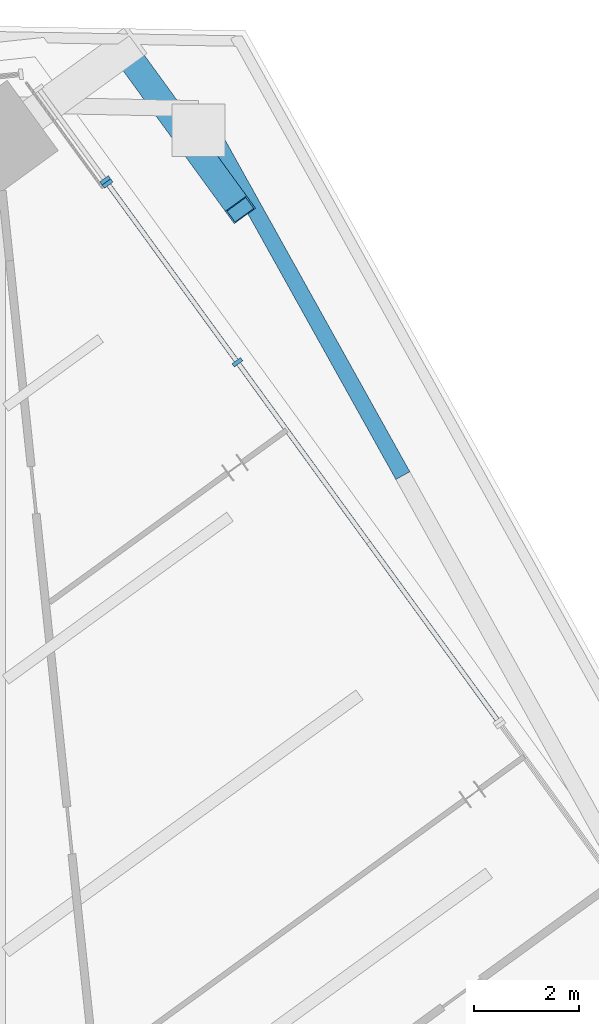
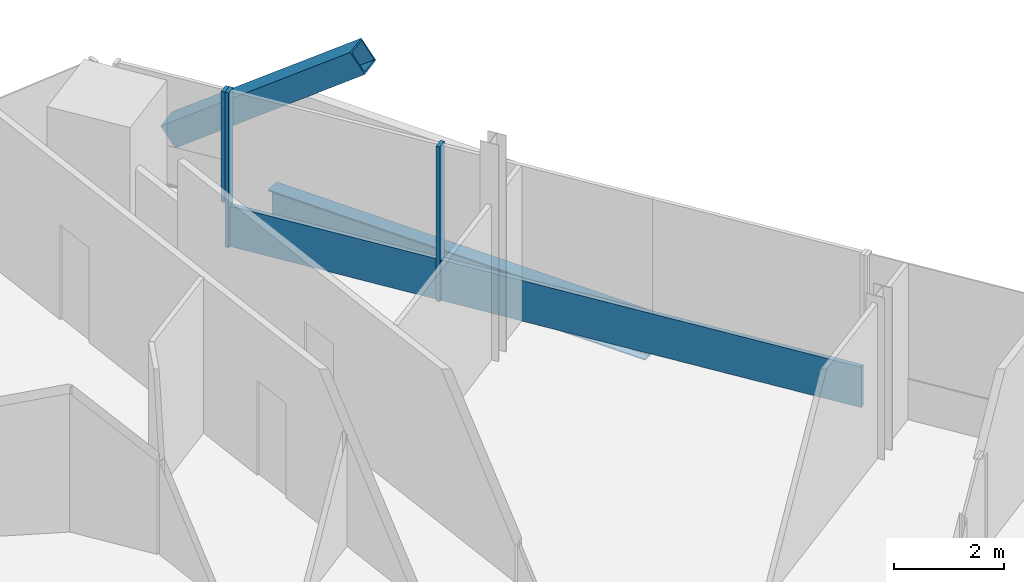
# One storey, part 9 of 21: 6 members, 1 beam, 2 elements without a shape of their own.
"""IFC4 building model written with IfcOpenShell, lengths in metres."""

import ifcopenshell
import ifcopenshell.guid

model = None  # the IFC model being written
_history = None  # IfcOwnerHistory: only IFC2X3 demands one
_inside = {}  # id of a spatial element -> (the spatial element, [elements in it])
_under = {}  # id of a project, library or spatial element -> (it, [spatial elements below it])
_declared = {}  # id of a project -> (the project, [libraries it declares])
_typed = {}  # id of a type object -> (the type object, [elements of that type])
_made_of = {}  # id of a material, layer set ... -> (it, [elements and type objects made of it])


def new_model(schema):
    """Start an empty IFC model of exactly this schema.

    Asked for "IFC4X3", IfcOpenShell would pick the latest addendum, in which some entities
    have other attributes; the version numbers below select the first issue.
    IFC2X3 requires an IfcOwnerHistory on every rooted entity: one is made here for all.
    """
    global model, _history
    if schema == "IFC4X3":
        model = ifcopenshell.file(schema_version=(4, 3, 0, 0))
    else:
        model = ifcopenshell.file(schema=schema)
    _inside.clear()
    _under.clear()
    _declared.clear()
    _typed.clear()
    _made_of.clear()
    _history = None
    if model.schema == "IFC2X3":
        org = make("IfcOrganization", Name="unknown")
        user = make(
            "IfcPersonAndOrganization",
            ThePerson=make("IfcPerson", FamilyName="unknown"),
            TheOrganization=org,
        )
        app = make(
            "IfcApplication",
            ApplicationDeveloper=org,
            Version="unknown",
            ApplicationFullName="unknown",
            ApplicationIdentifier="unknown",
        )
        _history = make(
            "IfcOwnerHistory",
            OwningUser=user,
            OwningApplication=app,
            ChangeAction="ADDED",
            CreationDate=0,
        )
    return model


def make(cls, **values):
    """One entity of the class cls with the attributes given. An attribute that is None is left unset."""
    return model.create_entity(
        cls, **{name: value for name, value in values.items() if value is not None}
    )


def rooted(cls, **values):
    """An entity with a GlobalId (a new one), such as an element, a storey or a relation."""
    return make(cls, GlobalId=ifcopenshell.guid.new(), OwnerHistory=_history, **values)


def si_unit(unit_type, name, prefix=None):
    """IfcSIUnit, for example si_unit("LENGTHUNIT", "METRE", prefix="MILLI")."""
    return make("IfcSIUnit", UnitType=unit_type, Prefix=prefix, Name=name)


def assignment(units):
    """IfcUnitAssignment: the units of a project."""
    return None if units is None else make("IfcUnitAssignment", Units=units)


def point(xyz):
    """IfcCartesianPoint."""
    return None if xyz is None else make("IfcCartesianPoint", Coordinates=xyz)


def direction(xyz):
    """IfcDirection."""
    return None if xyz is None else make("IfcDirection", DirectionRatios=xyz)


def frame(location, z_axis=None, x_axis=None):
    """IfcAxis2Placement3D, a coordinate frame: its origin and axes. An axis left out is left unset."""
    return make(
        "IfcAxis2Placement3D",
        Location=point(location),
        Axis=direction(z_axis),
        RefDirection=direction(x_axis),
    )


def frame_2d(location, x_axis=None):
    """IfcAxis2Placement2D, a coordinate frame in the plane: its origin and x axis."""
    return make(
        "IfcAxis2Placement2D", Location=point(location), RefDirection=direction(x_axis)
    )


def origin():
    """The frame at (0, 0, 0) with its axes left unset."""
    return frame((0.0, 0.0, 0.0))


def origin_2d():
    """The frame at (0, 0) in the plane with its x axis left unset."""
    return frame_2d((0.0, 0.0))


def place(relative_to, where):
    """IfcLocalPlacement: puts the frame where relative to a parent placement (None: the world)."""
    return make(
        "IfcLocalPlacement", PlacementRelTo=relative_to, RelativePlacement=where
    )


def context(
    kind, dimensions, precision=None, world=None, true_north=None, identifier=None
):
    """IfcGeometricRepresentationContext, for example the 3D "Model" context."""
    return make(
        "IfcGeometricRepresentationContext",
        ContextIdentifier=identifier,
        ContextType=kind,
        CoordinateSpaceDimension=dimensions,
        Precision=precision,
        WorldCoordinateSystem=world,
        TrueNorth=true_north,
    )


def subcontext(parent, identifier, kind, view, scale=None):
    """IfcGeometricRepresentationSubContext, for example "Body" below "Model"."""
    return make(
        "IfcGeometricRepresentationSubContext",
        ContextIdentifier=identifier,
        ContextType=kind,
        ParentContext=parent,
        TargetScale=scale,
        TargetView=view,
    )


def project(units=None, contexts=None):
    """IfcProject with its units and contexts."""
    return rooted(
        "IfcProject",
        Name="project",
        RepresentationContexts=contexts,
        UnitsInContext=assignment(units),
    )


def spatial(cls, under=None, at=None, **own):
    """A site, building, storey or space (cls), placed at a placement, below another one or the project."""
    s = rooted(cls, ObjectPlacement=at, **own)
    if under is not None:
        _under.setdefault(under.id(), (under, []))[1].append(s)
    return s


def profile(cls, at=None, kind="AREA", **sizes):
    """A parametric profile (cls). Its sizes go by their IFC names, for example OverallWidth=200.0."""
    return make(cls, ProfileType=kind, Position=at, **sizes)


def rectangle(**sizes):
    """IfcRectangleProfileDef."""
    return profile("IfcRectangleProfileDef", **sizes)


def hollow_rectangle(**sizes):
    """IfcRectangleHollowProfileDef."""
    return profile("IfcRectangleHollowProfileDef", **sizes)


def i_section(**sizes):
    """IfcIShapeProfileDef."""
    return profile("IfcIShapeProfileDef", **sizes)


def extrude(swept, where, along, depth):
    """IfcExtrudedAreaSolid: the profile swept, set in the frame where, extruded along a direction by depth."""
    return make(
        "IfcExtrudedAreaSolid",
        SweptArea=swept,
        Position=where,
        ExtrudedDirection=direction(along),
        Depth=depth,
    )


def shape(context_of_items, identifier, shape_type, items):
    """IfcShapeRepresentation: the items that make up one representation, for example the "Body"."""
    return make(
        "IfcShapeRepresentation",
        ContextOfItems=context_of_items,
        RepresentationIdentifier=identifier,
        RepresentationType=shape_type,
        Items=items,
    )


def source(mapping_origin, context_of_items, identifier, shape_type, items):
    """IfcRepresentationMap: a shape defined once, which mapped items show again and again."""
    return make(
        "IfcRepresentationMap",
        MappingOrigin=mapping_origin,
        MappedRepresentation=shape(context_of_items, identifier, shape_type, items),
    )


def transform(
    local_origin,
    x_axis=None,
    y_axis=None,
    z_axis=None,
    scale=None,
    scale2=None,
    scale3=None,
    uniform=True,
):
    """IfcCartesianTransformationOperator3D, or its non-uniform kind. x_axis, y_axis, z_axis: its Axis1, 2, 3."""
    if uniform:
        return make(
            "IfcCartesianTransformationOperator3D",
            Axis1=direction(x_axis),
            Axis2=direction(y_axis),
            LocalOrigin=point(local_origin),
            Scale=scale,
            Axis3=direction(z_axis),
        )
    return make(
        "IfcCartesianTransformationOperator3DnonUniform",
        Axis1=direction(x_axis),
        Axis2=direction(y_axis),
        LocalOrigin=point(local_origin),
        Scale=scale,
        Axis3=direction(z_axis),
        Scale2=scale2,
        Scale3=scale3,
    )


def mapped(mapping_source, mapping_target):
    """IfcMappedItem: shows the shape of a source again, moved by a transform."""
    return make(
        "IfcMappedItem", MappingSource=mapping_source, MappingTarget=mapping_target
    )


def material(Name=None, Category=None):
    """IfcMaterial."""
    return make("IfcMaterial", Name=Name, Category=Category)


def material_profile(
    of_material, cross_section, Name=None, Category=None, Priority=None
):
    """IfcMaterialProfile: a cross section and its material."""
    return make(
        "IfcMaterialProfile",
        Name=Name,
        Material=of_material,
        Profile=cross_section,
        Priority=Priority,
        Category=Category,
    )


def profile_set(profiles, Name=None, composite=None):
    """IfcMaterialProfileSet."""
    return make(
        "IfcMaterialProfileSet",
        Name=Name,
        MaterialProfiles=profiles,
        CompositeProfile=composite,
    )


def made_of(thing, what):
    """Note that an element or type object is made of a material, layer set ...; save() writes the relation."""
    if what is not None:
        _made_of.setdefault(what.id(), (what, []))[1].append(thing)
    return thing


def type_object(cls, material=None, **own):
    """A type object (cls), such as IfcWallType, which elements share."""
    return made_of(rooted(cls, **own), material)


def element(
    cls,
    number,
    at=None,
    inside=None,
    cuts=None,
    type_object=None,
    material=None,
    context=None,
    identifier="Body",
    shape_type=None,
    held_by="IfcProductDefinitionShape",
    body=None,
    shapes=None,
    **own,
):
    """One element of the class cls, such as IfcWall. Its Tag is "e" and its number.

    at: its placement. inside: the storey or other place that contains it. cuts: it is an
    opening in that element (IfcRelVoidsElement). A single representation is given by context,
    identifier, shape_type and body (its items); several are given by shapes. held_by: the class
    of the entity that holds the representations. save() writes the other relations.
    """
    e = rooted(cls, Tag="e%d" % number, ObjectPlacement=at, **own)
    if body is not None:
        shapes = [shape(context, identifier, shape_type, body)]
    if shapes is not None:
        e.Representation = make(held_by, Representations=shapes)
    if inside is not None:
        _inside.setdefault(inside.id(), (inside, []))[1].append(e)
    if cuts is not None:
        rooted(
            "IfcRelVoidsElement", RelatingBuildingElement=cuts, RelatedOpeningElement=e
        )
    if type_object is not None:
        _typed.setdefault(type_object.id(), (type_object, []))[1].append(e)
    return made_of(e, material)


def aggregate(whole, parts):
    """IfcRelAggregates: a whole, such as a stair, and the parts it consists of."""
    return rooted("IfcRelAggregates", RelatingObject=whole, RelatedObjects=parts)


def save(model, path):
    """Write the relations noted so far, then the file.

    IfcRelAggregates (storeys below a building ...), IfcRelContainedInSpatialStructure (elements
    in a storey), IfcRelDefinesByType, IfcRelAssociatesMaterial and IfcRelDeclares: one each for
    every whole, place, type object, material and project.
    """
    for whole, parts in _under.values():
        aggregate(whole, parts)
    for where, things in _inside.values():
        rooted(
            "IfcRelContainedInSpatialStructure",
            RelatedElements=things,
            RelatingStructure=where,
        )
    for kind, things in _typed.values():
        rooted("IfcRelDefinesByType", RelatedObjects=things, RelatingType=kind)
    for what, things in _made_of.values():
        rooted("IfcRelAssociatesMaterial", RelatedObjects=things, RelatingMaterial=what)
    for by, libraries in _declared.values():
        rooted("IfcRelDeclares", RelatingContext=by, RelatedDefinitions=libraries)
    model.write(path)


model = new_model("IFC4")

# Units and contexts
model_context = context("Model", 3, precision=1e-05, world=origin(), true_north=direction((0.0, 1.0)))
body_context = subcontext(model_context, "Body", "Model", "MODEL_VIEW")
ifc_project = project(units=[si_unit("LENGTHUNIT", "METRE"), si_unit("AREAUNIT", "SQUARE_METRE"), si_unit("VOLUMEUNIT", "CUBIC_METRE"), si_unit("PLANEANGLEUNIT", "RADIAN"), si_unit("MASSUNIT", "GRAM", prefix="KILO")], contexts=[model_context])

# Site, building, storey
site_placement = place(None, origin())
site = spatial("IfcSite", under=ifc_project, at=site_placement, CompositionType="ELEMENT")
building_placement = place(site_placement, origin())
building = spatial("IfcBuilding", under=site, at=building_placement, Name="Triune Harvest Tower", CompositionType="ELEMENT")
storey_placement = place(building_placement, frame((0.0, 0.0, 219.699951171875)))
storey = spatial("IfcBuildingStorey", under=building, at=storey_placement, Name="L57", CompositionType="ELEMENT", Elevation=219.699951171875)

# Beam
ifc_material_1 = material(Name="Steel ASTM A992 Gr 50", Category="steel")
ifc_material_profile_1 = material_profile(ifc_material_1, i_section(OverallWidth=0.3046875, OverallDepth=0.914306640625, WebThickness=0.0166015625, FlangeThickness=0.02587890625, at=origin_2d()), Name="W36x160")
ifc_profile_set_1 = profile_set([ifc_material_profile_1], Name="Steel ASTM A992 Gr 50")
beam_type = type_object("IfcBeamType", Name="SB-1 Spandrel beam W36x160", PredefinedType="SPANDREL", material=ifc_profile_set_1)
shared_shape_1 = source(origin(), body_context, "Body", "SweptSolid", [
    extrude(i_section(OverallWidth=0.3046875, OverallDepth=0.914306640625, WebThickness=0.0166015625, FlangeThickness=0.02587890625, at=origin_2d()), origin(), (0.0, 0.0, 1.0), 7.9873046875),
])
beam_placement = place(storey_placement, frame((9.3642578125, 23.31787109375, -0.6171875), z_axis=(-0.486579527794, 0.873636287669, 0.0), x_axis=(-0.873636287669, -0.486579527794, 0.0)))
element("IfcBeam", 1, at=beam_placement, inside=storey, type_object=beam_type, Name="beam/L57/WB5", PredefinedType="SPANDREL", context=body_context, shape_type="MappedRepresentation", body=[
    mapped(shared_shape_1, transform((0.0, 0.0, 0.0), scale=1.0)),
])

# Member
ifc_material_2 = material(Name="Steel ASTM A572 Gr 50", Category="steel")
ifc_material_profile_2 = material_profile(ifc_material_2, hollow_rectangle(XDim=0.5, YDim=0.5, WallThickness=0.030029296875, at=origin_2d()), Name="Box 500x500x30")
ifc_profile_set_2 = profile_set([ifc_material_profile_2], Name="Steel ASTM A572 Gr 50")
member_type_1 = type_object("IfcMemberType", Name="BR-3 Brace Box 500x500x30", PredefinedType="BRACE", material=ifc_profile_set_2)
shared_shape_2 = source(origin(), body_context, "Body", "SweptSolid", [
    extrude(hollow_rectangle(XDim=0.5, YDim=0.5, WallThickness=0.030029296875, at=origin_2d()), origin(), (0.0, 0.0, 1.0), 4.645263671875),
])
member_1_placement = place(storey_placement, frame((4.057373046875, 31.4248046875, 0.89013671875), z_axis=(0.477384698778, -0.657080645616, 0.583394270223), x_axis=(0.809024216088, 0.587775312328, 0.0)))
element("IfcMember", 2, at=member_1_placement, inside=storey, type_object=member_type_1, Name="brace/B6-F1/d2/1", PredefinedType="BRACE", context=body_context, shape_type="MappedRepresentation", body=[
    mapped(shared_shape_2, transform((0.0, 0.0, 0.0), scale=1.0)),
])

# Curtain wall, member
ifc_material_3 = material(Name="Aluminium bronze anodised", Category="aluminium")
curtain_wall_type = type_object("IfcCurtainWallType", Name="CW-7 Tower stick curtain wall with insulated spandrel infill", PredefinedType="NOTDEFINED", material=ifc_material_3)
curtain_wall_1_placement = place(storey_placement, origin())
curtain_wall_1 = element("IfcCurtainWall", 3, at=curtain_wall_1_placement, inside=storey, type_object=curtain_wall_type, Name="CW-7 B6-F1 L57 run 201")
ifc_material_4 = material(Name="Aluminium bronze anodised", Category="aluminium")
ifc_material_profile_3 = material_profile(ifc_material_4, rectangle(XDim=0.199951171875, YDim=0.074951171875, at=origin_2d()), Name="MU-1 mullion 75 x 200")
ifc_profile_set_3 = profile_set([ifc_material_profile_3], Name="Aluminium bronze anodised")
member_type_2 = type_object("IfcMemberType", Name="MU-1 mullion 75 x 200", PredefinedType="MULLION", material=ifc_profile_set_3)
shared_shape_3 = source(origin(), body_context, "Body", "SweptSolid", [
    extrude(rectangle(XDim=0.199951171875, YDim=0.074951171875, at=origin_2d()), origin(), (0.0, 0.0, 1.0), 2.454833984375),
])
member_2_placement = place(storey_placement, frame((3.704833984375, 28.9326171875, 0.985107421875), z_axis=(0.0, 0.0, 1.0), x_axis=(-0.809038277721, -0.587755957164, 0.0)))
member_2 = element("IfcMember", 4, at=member_2_placement, type_object=member_type_2, Name="CW-7 mullion B6-F1 201.1", PredefinedType="MULLION", context=body_context, shape_type="MappedRepresentation", body=[
    mapped(shared_shape_3, transform((0.0, 0.0, 0.0), scale=1.0)),
])
aggregate(curtain_wall_1, [member_2])

# Curtain wall, members
curtain_wall_2_placement = place(storey_placement, origin())
curtain_wall_2 = element("IfcCurtainWall", 5, at=curtain_wall_2_placement, inside=storey, type_object=curtain_wall_type, Name="CW-7 B6-F1 L57 run 2101")
shared_shape_4 = source(origin(), body_context, "Body", "SweptSolid", [
    extrude(rectangle(XDim=0.199951171875, YDim=0.074951171875, at=origin_2d()), origin(), (0.0, 0.0, 1.0), 3.43994140625),
])
member_3_placement = place(storey_placement, frame((6.21826171875, 25.473388671875, 0.0), z_axis=(0.0, 0.0, 1.0), x_axis=(-0.809014190321, -0.587789111722, 0.0)))
member_3 = element("IfcMember", 6, at=member_3_placement, type_object=member_type_2, Name="CW-7 mullion B6-F1 2101.3", PredefinedType="MULLION", context=body_context, shape_type="MappedRepresentation", body=[
    mapped(shared_shape_4, transform((0.0, 0.0, 0.0), scale=1.0)),
])
member_4_placement = place(storey_placement, frame((3.7490234375, 28.8720703125, 0.0), z_axis=(0.0, 0.0, 1.0), x_axis=(-0.809014190321, -0.587789111722, 0.0)))
member_4 = element("IfcMember", 7, at=member_4_placement, type_object=member_type_2, Name="CW-7 mullion B6-F1 2101.4", PredefinedType="MULLION", context=body_context, shape_type="MappedRepresentation", body=[
    mapped(shared_shape_4, transform((0.0, 0.0, 0.0), scale=1.0)),
])
ifc_material_5 = material(Name="Aluminium bronze anodised", Category="aluminium")
ifc_material_profile_4 = material_profile(ifc_material_5, rectangle(XDim=0.090087890625, YDim=0.89990234375, at=origin_2d()), Name="TR-1 transom 90 x 900")
ifc_profile_set_4 = profile_set([ifc_material_profile_4], Name="Aluminium bronze anodised")
member_type_3 = type_object("IfcMemberType", Name="TR-1 transom 90 x 900", PredefinedType="USERDEFINED", material=ifc_profile_set_4)
shared_shape_5 = source(origin(), body_context, "Body", "SweptSolid", [
    extrude(rectangle(XDim=0.090087890625, YDim=0.89990234375, at=origin_2d()), origin(), (0.0, 0.0, 1.0), 8.3642578125),
])
member_5_placement = place(storey_placement, frame((11.156494140625, 18.67626953125, 0.449951171875), z_axis=(-0.587774186099, 0.80902503432, 0.0), x_axis=(-0.80902503432, -0.587774186099, 0.0)))
member_5 = element("IfcMember", 8, at=member_5_placement, type_object=member_type_3, Name="CW-7 transom B6-F1 2101.1", ObjectType="TRANSOM", PredefinedType="USERDEFINED", context=body_context, shape_type="MappedRepresentation", body=[
    mapped(shared_shape_5, transform((0.0, 0.0, 0.0), scale=1.0)),
])
shared_shape_6 = source(origin(), body_context, "Body", "SweptSolid", [
    extrude(rectangle(XDim=0.090087890625, YDim=0.89990234375, at=origin_2d()), origin(), (0.0, 0.0, 1.0), 4.125732421875),
])
member_6_placement = place(storey_placement, frame((6.196044921875, 25.503662109375, 0.449951171875), z_axis=(-0.587774042171, 0.809025138886, 0.0), x_axis=(-0.809025138886, -0.587774042171, 0.0)))
member_6 = element("IfcMember", 9, at=member_6_placement, type_object=member_type_3, Name="CW-7 transom B6-F1 2101.2", ObjectType="TRANSOM", PredefinedType="USERDEFINED", context=body_context, shape_type="MappedRepresentation", body=[
    mapped(shared_shape_6, transform((0.0, 0.0, 0.0), scale=1.0)),
])
aggregate(curtain_wall_2, [member_3, member_4, member_5, member_6])

save(model, "model.ifc")
